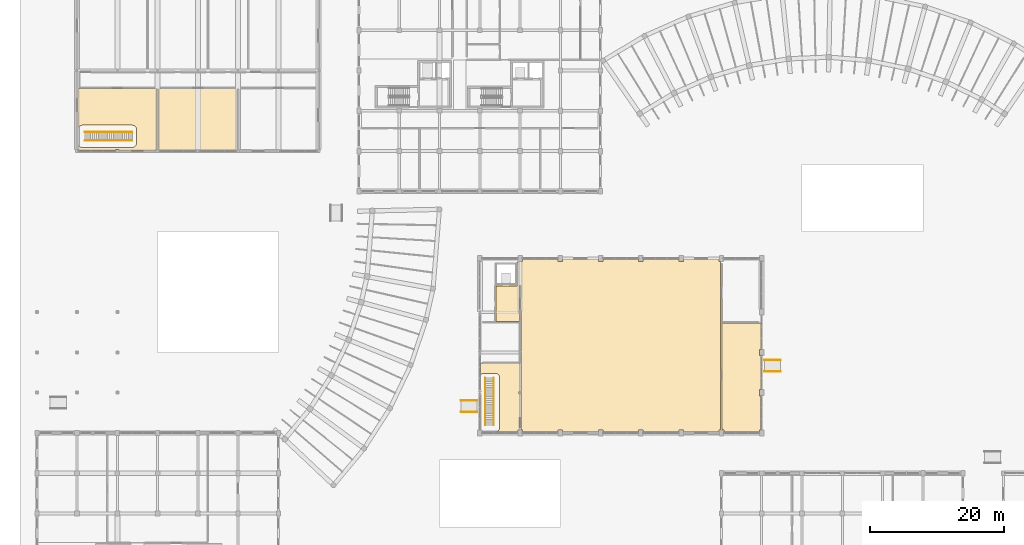
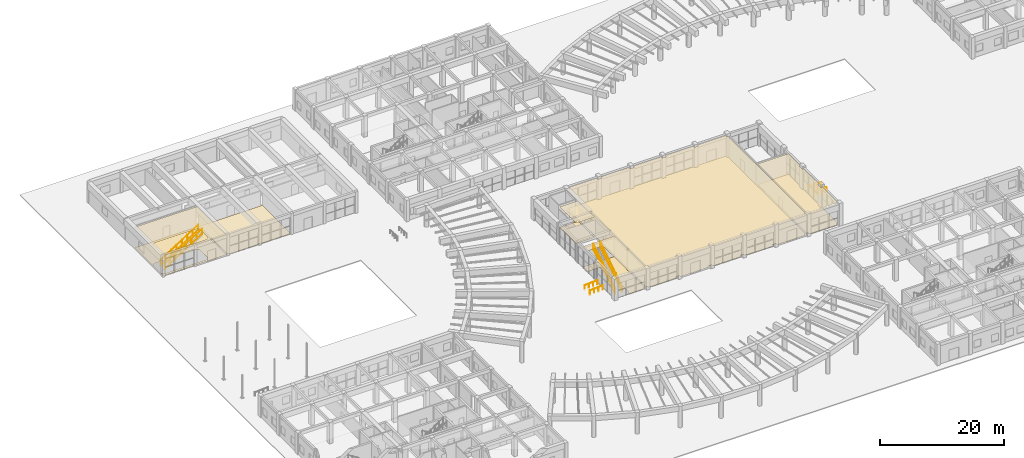
# One storey, part 70 of 76: 11 coverings, 8 railings.
"""IFC4 building model written with IfcOpenShell, lengths in metres."""

from ifc_helpers import new_model, si_unit, direction, frame, origin, origin_2d, place, context, subcontext, project, spatial, polyline, circle, outline, extrude, material, layer, layer_set, type_object, element, save


model = new_model("IFC4")

# Units and contexts
model_context = context("Model", 3, precision=1e-05, world=origin(), true_north=direction((0.0, 1.0)))
body_context = subcontext(model_context, "Body", "Model", "MODEL_VIEW")
ifc_project = project(units=[si_unit("LENGTHUNIT", "METRE"), si_unit("AREAUNIT", "SQUARE_METRE"), si_unit("VOLUMEUNIT", "CUBIC_METRE"), si_unit("PLANEANGLEUNIT", "RADIAN"), si_unit("MASSUNIT", "GRAM", prefix="KILO"), si_unit("POWERUNIT", "WATT"), si_unit("THERMODYNAMICTEMPERATUREUNIT", "KELVIN")], contexts=[model_context])

# Site, building, storey
site_placement = place(None, origin())
site = spatial("IfcSite", under=ifc_project, at=site_placement, CompositionType="ELEMENT")
building_placement = place(site_placement, origin())
building = spatial("IfcBuilding", under=site, at=building_placement, Name="Ruvembo Vaulted Housing Court", CompositionType="ELEMENT")
storey_placement = place(building_placement, origin())
storey = spatial("IfcBuildingStorey", under=building, at=storey_placement, Name="L00", CompositionType="ELEMENT", Elevation=0.0)

# Coverings
ifc_material_1 = material(Name="Perforated Mineral-Fibre Acoustic Tile", Category="gypsum")
ifc_layer_1 = layer(ifc_material_1, 0.02001953125, Name="Perforated Mineral-Fibre Acoustic Tile")
ifc_layer_set_1 = layer_set([ifc_layer_1], Name="Perforated Mineral-Fibre Acoustic Tile")
covering_type_1 = type_object("IfcCoveringType", Name="COV-CEIL-ACOUST", PredefinedType="CEILING", material=ifc_layer_set_1)
covering_1_placement = place(storey_placement, frame((0.0, 0.0, 4.050048828125)))
element("IfcCovering", 1, at=covering_1_placement, inside=storey, type_object=covering_type_1, Name="Central Vaulted Community Hall Nave Ceiling", PredefinedType="CEILING", context=body_context, shape_type="SweptSolid", body=[
    extrude(outline(polyline([(95.655029296875, 42.469970703125), (96.344970703125, 42.469970703125), (96.344970703125, 42.110107421875), (101.655029296875, 42.110107421875), (101.655029296875, 42.469970703125), (101.889892578125, 42.469970703125), (101.889892578125, 67.530029296875), (101.655029296875, 67.530029296875), (101.655029296875, 67.889892578125), (96.344970703125, 67.889892578125), (96.344970703125, 67.530029296875), (95.655029296875, 67.530029296875), (95.655029296875, 67.889892578125), (90.344970703125, 67.889892578125), (90.344970703125, 67.530029296875), (89.655029296875, 67.530029296875), (89.655029296875, 67.889892578125), (84.344970703125, 67.889892578125), (84.344970703125, 67.530029296875), (83.655029296875, 67.530029296875), (83.655029296875, 67.889892578125), (78.344970703125, 67.889892578125), (78.344970703125, 67.530029296875), (77.655029296875, 67.530029296875), (77.655029296875, 67.889892578125), (72.344970703125, 67.889892578125), (72.344970703125, 67.530029296875), (72.110107421875, 67.530029296875), (72.110107421875, 60.169921875), (72.169921875, 60.169921875), (72.169921875, 59.830078125), (72.110107421875, 59.830078125), (72.110107421875, 54.169921875), (72.169921875, 54.169921875), (72.169921875, 53.830078125), (72.110107421875, 53.830078125), (72.110107421875, 48.169921875), (72.169921875, 48.169921875), (72.169921875, 47.830078125), (72.110107421875, 47.830078125), (72.110107421875, 42.469970703125), (72.344970703125, 42.469970703125), (72.344970703125, 42.110107421875), (77.655029296875, 42.110107421875), (77.655029296875, 42.469970703125), (78.344970703125, 42.469970703125), (78.344970703125, 42.110107421875), (83.655029296875, 42.110107421875), (83.655029296875, 42.469970703125), (84.344970703125, 42.469970703125), (84.344970703125, 42.110107421875), (89.655029296875, 42.110107421875), (89.655029296875, 42.469970703125), (90.344970703125, 42.469970703125), (90.344970703125, 42.110107421875), (95.655029296875, 42.110107421875), (95.655029296875, 42.469970703125)])), origin(), (0.0, 0.0, 1.0), 0.02001953125),
])
covering_2_placement = place(storey_placement, frame((0.0, 0.0, 4.034912109375)))
element("IfcCovering", 2, at=covering_2_placement, inside=storey, type_object=covering_type_1, Name="Community Hall Foyer Ceiling", PredefinedType="CEILING", context=body_context, shape_type="SweptSolid", body=[
    extrude(outline(polyline([(71.889892578125, 52.389892578125), (66.110107421875, 52.389892578125), (66.110107421875, 50.64599609375), (66.140380859375, 50.6796875), (66.1875, 50.722412109375), (66.239013671875, 50.760498046875), (66.293701171875, 50.793212890625), (66.351318359375, 50.820556640625), (66.411376953125, 50.842041015625), (66.47314453125, 50.857421875), (66.536376953125, 50.866943359375), (66.60009765625, 50.8701171875), (68.300048828125, 50.8701171875), (68.36376953125, 50.866943359375), (68.4267578125, 50.857421875), (68.48876953125, 50.842041015625), (68.548583984375, 50.820556640625), (68.6064453125, 50.793212890625), (68.6611328125, 50.760498046875), (68.71240234375, 50.722412109375), (68.759521484375, 50.6796875), (68.802490234375, 50.63232421875), (68.840576171875, 50.5810546875), (68.873291015625, 50.5263671875), (68.900390625, 50.46875), (68.922119140625, 50.40869140625), (68.9375, 50.3466796875), (68.947021484375, 50.28369140625), (68.949951171875, 50.219970703125), (68.949951171875, 42.800048828125), (68.947021484375, 42.736328125), (68.9375, 42.673095703125), (68.922119140625, 42.611328125), (68.900390625, 42.55126953125), (68.873291015625, 42.49365234375), (68.840576171875, 42.43896484375), (68.802490234375, 42.3876953125), (68.759521484375, 42.34033203125), (68.71240234375, 42.297607421875), (68.6611328125, 42.259521484375), (68.6064453125, 42.226806640625), (68.548583984375, 42.199462890625), (68.48876953125, 42.177978515625), (68.4267578125, 42.16259765625), (68.36376953125, 42.153076171875), (68.300048828125, 42.14990234375), (66.60009765625, 42.14990234375), (66.536376953125, 42.153076171875), (66.47314453125, 42.16259765625), (66.411376953125, 42.177978515625), (66.351318359375, 42.199462890625), (66.344970703125, 42.202392578125), (66.344970703125, 42.110107421875), (71.655029296875, 42.110107421875), (71.655029296875, 42.469970703125), (71.889892578125, 42.469970703125), (71.889892578125, 47.830078125), (71.830078125, 47.830078125), (71.830078125, 48.169921875), (71.889892578125, 48.169921875), (71.889892578125, 52.389892578125)])), origin(), (0.0, 0.0, 1.0), 0.02001953125),
])
covering_3_placement = place(storey_placement, frame((0.0, 0.0, 4.034912109375)))
element("IfcCovering", 3, at=covering_3_placement, inside=storey, type_object=covering_type_1, Name="Hall Lift Lobby Ceiling", PredefinedType="CEILING", context=body_context, shape_type="SweptSolid", body=[
    extrude(outline(polyline([(71.423095703125, 63.910888671875), (71.405517578125, 63.91015625), (71.39990234375, 63.909912109375), (68.409912109375, 63.909912109375), (68.409912109375, 58.610107421875), (71.889892578125, 58.610107421875), (71.889892578125, 59.830078125), (71.830078125, 59.830078125), (71.830078125, 60.169921875), (71.889892578125, 60.169921875), (71.889892578125, 67.489990234375), (71.39990234375, 67.489990234375), (71.405517578125, 67.489990234375), (71.423095703125, 67.489013671875), (71.433837890625, 67.48779296875), (71.451416015625, 67.4853515625), (71.4619140625, 67.483154296875), (71.47900390625, 67.47900390625), (71.4892578125, 67.475830078125), (71.505859375, 67.469970703125), (71.515869140625, 67.4658203125), (71.531982421875, 67.458251953125), (71.54150390625, 67.453125), (71.556640625, 67.444091796875), (71.5654296875, 67.43798828125), (71.57958984375, 67.427490234375), (71.588134765625, 67.420654296875), (71.601318359375, 67.40869140625), (71.60888671875, 67.401123046875), (71.62060546875, 67.38818359375), (71.62744140625, 67.379638671875), (71.637939453125, 67.365478515625), (71.64404296875, 67.356689453125), (71.653076171875, 67.34130859375), (71.658203125, 67.331787109375), (71.665771484375, 67.31591796875), (71.669921875, 67.305908203125), (71.67578125, 67.289306640625), (71.678955078125, 67.279052734375), (71.68310546875, 67.26171875), (71.685302734375, 67.251220703125), (71.68798828125, 67.23388671875), (71.68896484375, 67.222900390625), (71.68994140625, 67.205322265625), (71.68994140625, 67.199951171875), (71.68994140625, 64.199951171875), (71.68994140625, 64.194580078125), (71.68896484375, 64.177001953125), (71.68798828125, 64.166259765625), (71.685302734375, 64.148681640625), (71.68310546875, 64.13818359375), (71.678955078125, 64.12109375), (71.67578125, 64.110595703125), (71.669921875, 64.093994140625), (71.665771484375, 64.083984375), (71.658203125, 64.068115234375), (71.653076171875, 64.05859375), (71.64404296875, 64.04345703125), (71.637939453125, 64.034423828125), (71.62744140625, 64.020263671875), (71.62060546875, 64.011962890625), (71.60888671875, 63.998779296875), (71.601318359375, 63.9912109375), (71.588134765625, 63.9794921875), (71.57958984375, 63.972412109375), (71.5654296875, 63.9619140625), (71.556640625, 63.9560546875), (71.54150390625, 63.947021484375), (71.531982421875, 63.94189453125), (71.515869140625, 63.934326171875), (71.505859375, 63.93017578125), (71.4892578125, 63.92431640625), (71.47900390625, 63.9208984375), (71.4619140625, 63.916748046875), (71.451416015625, 63.91455078125), (71.433837890625, 63.912109375), (71.423095703125, 63.910888671875)])), origin(), (0.0, 0.0, 1.0), 0.02001953125),
])
covering_4_placement = place(storey_placement, frame((0.0, 0.0, 4.050048828125)))
element("IfcCovering", 4, at=covering_4_placement, inside=storey, type_object=covering_type_1, Name="Community Stage & Forum Ceiling", PredefinedType="CEILING", context=body_context, shape_type="SweptSolid", body=[
    extrude(outline(polyline([(102.110107421875, 42.469970703125), (102.344970703125, 42.469970703125), (102.344970703125, 42.110107421875), (107.655029296875, 42.110107421875), (107.655029296875, 42.469970703125), (107.889892578125, 42.469970703125), (107.889892578125, 47.530029296875), (107.655029296875, 47.530029296875), (107.655029296875, 48.469970703125), (107.889892578125, 48.469970703125), (107.889892578125, 53.530029296875), (107.655029296875, 53.530029296875), (107.655029296875, 54.469970703125), (107.889892578125, 54.469970703125), (107.889892578125, 58.389892578125), (102.110107421875, 58.389892578125), (102.110107421875, 42.469970703125)])), origin(), (0.0, 0.0, 1.0), 0.02001953125),
])
covering_5_placement = place(storey_placement, frame((0.0, 0.0, 4.034912109375)))
element("IfcCovering", 5, at=covering_5_placement, inside=storey, type_object=covering_type_1, Name="Nursery Reception & Stroller Lobby Ceiling", PredefinedType="CEILING", context=body_context, shape_type="SweptSolid", body=[
    extrude(outline(polyline([(17.889892578125, 84.2451171875), (17.889892578125, 93.2900390625), (6.110107421875, 93.2900390625), (6.110107421875, 84.2451171875), (6.2451171875, 84.2451171875), (6.2451171875, 84.110107421875), (11.7548828125, 84.110107421875), (11.7548828125, 84.2451171875), (12.2451171875, 84.2451171875), (12.2451171875, 84.110107421875), (17.7548828125, 84.110107421875), (17.7548828125, 84.2451171875), (17.889892578125, 84.2451171875)]), holes=[polyline([(14.3466796875, 84.5625), (14.40869140625, 84.577880859375), (14.46875, 84.599609375), (14.5263671875, 84.626708984375), (14.5810546875, 84.659423828125), (14.63232421875, 84.697509765625), (14.6796875, 84.740478515625), (14.722412109375, 84.78759765625), (14.760498046875, 84.8388671875), (14.793212890625, 84.8935546875), (14.820556640625, 84.951416015625), (14.842041015625, 85.01123046875), (14.857421875, 85.0732421875), (14.866943359375, 85.13623046875), (14.8701171875, 85.199951171875), (14.8701171875, 87.199951171875), (14.866943359375, 87.263671875), (14.857421875, 87.326904296875), (14.842041015625, 87.388671875), (14.820556640625, 87.44873046875), (14.793212890625, 87.50634765625), (14.760498046875, 87.56103515625), (14.722412109375, 87.6123046875), (14.6796875, 87.65966796875), (14.63232421875, 87.702392578125), (14.5810546875, 87.740478515625), (14.5263671875, 87.773193359375), (14.46875, 87.800537109375), (14.40869140625, 87.822021484375), (14.3466796875, 87.83740234375), (14.28369140625, 87.846923828125), (14.219970703125, 87.85009765625), (6.800048828125, 87.85009765625), (6.736328125, 87.846923828125), (6.673095703125, 87.83740234375), (6.611328125, 87.822021484375), (6.55126953125, 87.800537109375), (6.49365234375, 87.773193359375), (6.43896484375, 87.740478515625), (6.3876953125, 87.702392578125), (6.34033203125, 87.65966796875), (6.297607421875, 87.6123046875), (6.259521484375, 87.56103515625), (6.226806640625, 87.50634765625), (6.199462890625, 87.44873046875), (6.177978515625, 87.388671875), (6.16259765625, 87.326904296875), (6.153076171875, 87.263671875), (6.14990234375, 87.199951171875), (6.14990234375, 85.199951171875), (6.153076171875, 85.13623046875), (6.16259765625, 85.0732421875), (6.177978515625, 85.01123046875), (6.199462890625, 84.951416015625), (6.226806640625, 84.8935546875), (6.259521484375, 84.8388671875), (6.297607421875, 84.78759765625), (6.34033203125, 84.740478515625), (6.3876953125, 84.697509765625), (6.43896484375, 84.659423828125), (6.49365234375, 84.626708984375), (6.55126953125, 84.599609375), (6.611328125, 84.577880859375), (6.673095703125, 84.5625), (6.736328125, 84.552978515625), (6.800048828125, 84.550048828125), (14.219970703125, 84.550048828125), (14.28369140625, 84.552978515625), (14.3466796875, 84.5625)])]), origin(), (0.0, 0.0, 1.0), 0.02001953125),
])
ifc_material_2 = material(Name="Polished Cement-Aggregate Terrazzo", Category="stone")
ifc_layer_2 = layer(ifc_material_2, 0.02197265625, Name="Polished Cement-Aggregate Terrazzo")
ifc_layer_set_2 = layer_set([ifc_layer_2], Name="Polished Cement-Aggregate Terrazzo")
covering_type_2 = type_object("IfcCoveringType", Name="COV-FLR-CERAMIC", PredefinedType="FLOORING", material=ifc_layer_set_2)
covering_6_placement = place(storey_placement, origin())
element("IfcCovering", 6, at=covering_6_placement, inside=storey, type_object=covering_type_2, Name="Central Vaulted Community Hall Nave Flooring", PredefinedType="FLOORING", context=body_context, shape_type="SweptSolid", body=[
    extrude(outline(polyline([(95.655029296875, 42.469970703125), (96.344970703125, 42.469970703125), (96.344970703125, 42.110107421875), (101.655029296875, 42.110107421875), (101.655029296875, 42.469970703125), (101.889892578125, 42.469970703125), (101.889892578125, 67.530029296875), (101.655029296875, 67.530029296875), (101.655029296875, 67.889892578125), (96.344970703125, 67.889892578125), (96.344970703125, 67.530029296875), (95.655029296875, 67.530029296875), (95.655029296875, 67.889892578125), (90.344970703125, 67.889892578125), (90.344970703125, 67.530029296875), (89.655029296875, 67.530029296875), (89.655029296875, 67.889892578125), (84.344970703125, 67.889892578125), (84.344970703125, 67.530029296875), (83.655029296875, 67.530029296875), (83.655029296875, 67.889892578125), (78.344970703125, 67.889892578125), (78.344970703125, 67.530029296875), (77.655029296875, 67.530029296875), (77.655029296875, 67.889892578125), (72.344970703125, 67.889892578125), (72.344970703125, 67.530029296875), (72.110107421875, 67.530029296875), (72.110107421875, 60.169921875), (72.169921875, 60.169921875), (72.169921875, 59.830078125), (72.110107421875, 59.830078125), (72.110107421875, 54.169921875), (72.169921875, 54.169921875), (72.169921875, 53.830078125), (72.110107421875, 53.830078125), (72.110107421875, 48.169921875), (72.169921875, 48.169921875), (72.169921875, 47.830078125), (72.110107421875, 47.830078125), (72.110107421875, 42.469970703125), (72.344970703125, 42.469970703125), (72.344970703125, 42.110107421875), (77.655029296875, 42.110107421875), (77.655029296875, 42.469970703125), (78.344970703125, 42.469970703125), (78.344970703125, 42.110107421875), (83.655029296875, 42.110107421875), (83.655029296875, 42.469970703125), (84.344970703125, 42.469970703125), (84.344970703125, 42.110107421875), (89.655029296875, 42.110107421875), (89.655029296875, 42.469970703125), (90.344970703125, 42.469970703125), (90.344970703125, 42.110107421875), (95.655029296875, 42.110107421875), (95.655029296875, 42.469970703125)])), origin(), (0.0, 0.0, 1.0), 0.02197265625),
])
covering_7_placement = place(storey_placement, origin())
element("IfcCovering", 7, at=covering_7_placement, inside=storey, type_object=covering_type_2, Name="Community Hall Foyer Flooring", PredefinedType="FLOORING", context=body_context, shape_type="SweptSolid", body=[
    extrude(outline(polyline([(71.889892578125, 52.389892578125), (66.110107421875, 52.389892578125), (66.110107421875, 50.64599609375), (66.140380859375, 50.6796875), (66.1875, 50.722412109375), (66.239013671875, 50.760498046875), (66.293701171875, 50.793212890625), (66.351318359375, 50.820556640625), (66.411376953125, 50.842041015625), (66.47314453125, 50.857421875), (66.536376953125, 50.866943359375), (66.60009765625, 50.8701171875), (68.300048828125, 50.8701171875), (68.36376953125, 50.866943359375), (68.4267578125, 50.857421875), (68.48876953125, 50.842041015625), (68.548583984375, 50.820556640625), (68.6064453125, 50.793212890625), (68.6611328125, 50.760498046875), (68.71240234375, 50.722412109375), (68.759521484375, 50.6796875), (68.802490234375, 50.63232421875), (68.840576171875, 50.5810546875), (68.873291015625, 50.5263671875), (68.900390625, 50.46875), (68.922119140625, 50.40869140625), (68.9375, 50.3466796875), (68.947021484375, 50.28369140625), (68.949951171875, 50.219970703125), (68.949951171875, 42.800048828125), (68.947021484375, 42.736328125), (68.9375, 42.673095703125), (68.922119140625, 42.611328125), (68.900390625, 42.55126953125), (68.873291015625, 42.49365234375), (68.840576171875, 42.43896484375), (68.802490234375, 42.3876953125), (68.759521484375, 42.34033203125), (68.71240234375, 42.297607421875), (68.6611328125, 42.259521484375), (68.6064453125, 42.226806640625), (68.548583984375, 42.199462890625), (68.48876953125, 42.177978515625), (68.4267578125, 42.16259765625), (68.36376953125, 42.153076171875), (68.300048828125, 42.14990234375), (66.60009765625, 42.14990234375), (66.536376953125, 42.153076171875), (66.47314453125, 42.16259765625), (66.411376953125, 42.177978515625), (66.351318359375, 42.199462890625), (66.344970703125, 42.202392578125), (66.344970703125, 42.110107421875), (71.655029296875, 42.110107421875), (71.655029296875, 42.469970703125), (71.889892578125, 42.469970703125), (71.889892578125, 47.830078125), (71.830078125, 47.830078125), (71.830078125, 48.169921875), (71.889892578125, 48.169921875), (71.889892578125, 52.389892578125)])), origin(), (0.0, 0.0, 1.0), 0.02197265625),
])
covering_8_placement = place(storey_placement, origin())
element("IfcCovering", 8, at=covering_8_placement, inside=storey, type_object=covering_type_2, Name="Hall Lift Lobby Flooring", PredefinedType="FLOORING", context=body_context, shape_type="SweptSolid", body=[
    extrude(outline(polyline([(71.423095703125, 63.910888671875), (71.405517578125, 63.91015625), (71.39990234375, 63.909912109375), (68.409912109375, 63.909912109375), (68.409912109375, 58.610107421875), (71.889892578125, 58.610107421875), (71.889892578125, 59.830078125), (71.830078125, 59.830078125), (71.830078125, 60.169921875), (71.889892578125, 60.169921875), (71.889892578125, 67.489990234375), (71.39990234375, 67.489990234375), (71.405517578125, 67.489990234375), (71.423095703125, 67.489013671875), (71.433837890625, 67.48779296875), (71.451416015625, 67.4853515625), (71.4619140625, 67.483154296875), (71.47900390625, 67.47900390625), (71.4892578125, 67.475830078125), (71.505859375, 67.469970703125), (71.515869140625, 67.4658203125), (71.531982421875, 67.458251953125), (71.54150390625, 67.453125), (71.556640625, 67.444091796875), (71.5654296875, 67.43798828125), (71.57958984375, 67.427490234375), (71.588134765625, 67.420654296875), (71.601318359375, 67.40869140625), (71.60888671875, 67.401123046875), (71.62060546875, 67.38818359375), (71.62744140625, 67.379638671875), (71.637939453125, 67.365478515625), (71.64404296875, 67.356689453125), (71.653076171875, 67.34130859375), (71.658203125, 67.331787109375), (71.665771484375, 67.31591796875), (71.669921875, 67.305908203125), (71.67578125, 67.289306640625), (71.678955078125, 67.279052734375), (71.68310546875, 67.26171875), (71.685302734375, 67.251220703125), (71.68798828125, 67.23388671875), (71.68896484375, 67.222900390625), (71.68994140625, 67.205322265625), (71.68994140625, 67.199951171875), (71.68994140625, 64.199951171875), (71.68994140625, 64.194580078125), (71.68896484375, 64.177001953125), (71.68798828125, 64.166259765625), (71.685302734375, 64.148681640625), (71.68310546875, 64.13818359375), (71.678955078125, 64.12109375), (71.67578125, 64.110595703125), (71.669921875, 64.093994140625), (71.665771484375, 64.083984375), (71.658203125, 64.068115234375), (71.653076171875, 64.05859375), (71.64404296875, 64.04345703125), (71.637939453125, 64.034423828125), (71.62744140625, 64.020263671875), (71.62060546875, 64.011962890625), (71.60888671875, 63.998779296875), (71.601318359375, 63.9912109375), (71.588134765625, 63.9794921875), (71.57958984375, 63.972412109375), (71.5654296875, 63.9619140625), (71.556640625, 63.9560546875), (71.54150390625, 63.947021484375), (71.531982421875, 63.94189453125), (71.515869140625, 63.934326171875), (71.505859375, 63.93017578125), (71.4892578125, 63.92431640625), (71.47900390625, 63.9208984375), (71.4619140625, 63.916748046875), (71.451416015625, 63.91455078125), (71.433837890625, 63.912109375), (71.423095703125, 63.910888671875)])), origin(), (0.0, 0.0, 1.0), 0.02197265625),
])
covering_9_placement = place(storey_placement, origin())
element("IfcCovering", 9, at=covering_9_placement, inside=storey, type_object=covering_type_2, Name="Community Stage & Forum Flooring", PredefinedType="FLOORING", context=body_context, shape_type="SweptSolid", body=[
    extrude(outline(polyline([(102.110107421875, 42.469970703125), (102.344970703125, 42.469970703125), (102.344970703125, 42.110107421875), (107.655029296875, 42.110107421875), (107.655029296875, 42.469970703125), (107.889892578125, 42.469970703125), (107.889892578125, 47.530029296875), (107.655029296875, 47.530029296875), (107.655029296875, 48.469970703125), (107.889892578125, 48.469970703125), (107.889892578125, 53.530029296875), (107.655029296875, 53.530029296875), (107.655029296875, 54.469970703125), (107.889892578125, 54.469970703125), (107.889892578125, 58.389892578125), (102.110107421875, 58.389892578125), (102.110107421875, 42.469970703125)])), origin(), (0.0, 0.0, 1.0), 0.02197265625),
])
covering_10_placement = place(storey_placement, origin())
element("IfcCovering", 10, at=covering_10_placement, inside=storey, type_object=covering_type_2, Name="Nursery Reception & Stroller Lobby Flooring", PredefinedType="FLOORING", context=body_context, shape_type="SweptSolid", body=[
    extrude(outline(polyline([(17.889892578125, 84.2451171875), (17.889892578125, 93.2900390625), (6.110107421875, 93.2900390625), (6.110107421875, 84.2451171875), (6.2451171875, 84.2451171875), (6.2451171875, 84.110107421875), (11.7548828125, 84.110107421875), (11.7548828125, 84.2451171875), (12.2451171875, 84.2451171875), (12.2451171875, 84.110107421875), (17.7548828125, 84.110107421875), (17.7548828125, 84.2451171875), (17.889892578125, 84.2451171875)]), holes=[polyline([(14.3466796875, 84.5625), (14.40869140625, 84.577880859375), (14.46875, 84.599609375), (14.5263671875, 84.626708984375), (14.5810546875, 84.659423828125), (14.63232421875, 84.697509765625), (14.6796875, 84.740478515625), (14.722412109375, 84.78759765625), (14.760498046875, 84.8388671875), (14.793212890625, 84.8935546875), (14.820556640625, 84.951416015625), (14.842041015625, 85.01123046875), (14.857421875, 85.0732421875), (14.866943359375, 85.13623046875), (14.8701171875, 85.199951171875), (14.8701171875, 87.199951171875), (14.866943359375, 87.263671875), (14.857421875, 87.326904296875), (14.842041015625, 87.388671875), (14.820556640625, 87.44873046875), (14.793212890625, 87.50634765625), (14.760498046875, 87.56103515625), (14.722412109375, 87.6123046875), (14.6796875, 87.65966796875), (14.63232421875, 87.702392578125), (14.5810546875, 87.740478515625), (14.5263671875, 87.773193359375), (14.46875, 87.800537109375), (14.40869140625, 87.822021484375), (14.3466796875, 87.83740234375), (14.28369140625, 87.846923828125), (14.219970703125, 87.85009765625), (6.800048828125, 87.85009765625), (6.736328125, 87.846923828125), (6.673095703125, 87.83740234375), (6.611328125, 87.822021484375), (6.55126953125, 87.800537109375), (6.49365234375, 87.773193359375), (6.43896484375, 87.740478515625), (6.3876953125, 87.702392578125), (6.34033203125, 87.65966796875), (6.297607421875, 87.6123046875), (6.259521484375, 87.56103515625), (6.226806640625, 87.50634765625), (6.199462890625, 87.44873046875), (6.177978515625, 87.388671875), (6.16259765625, 87.326904296875), (6.153076171875, 87.263671875), (6.14990234375, 87.199951171875), (6.14990234375, 85.199951171875), (6.153076171875, 85.13623046875), (6.16259765625, 85.0732421875), (6.177978515625, 85.01123046875), (6.199462890625, 84.951416015625), (6.226806640625, 84.8935546875), (6.259521484375, 84.8388671875), (6.297607421875, 84.78759765625), (6.34033203125, 84.740478515625), (6.3876953125, 84.697509765625), (6.43896484375, 84.659423828125), (6.49365234375, 84.626708984375), (6.55126953125, 84.599609375), (6.611328125, 84.577880859375), (6.673095703125, 84.5625), (6.736328125, 84.552978515625), (6.800048828125, 84.550048828125), (14.219970703125, 84.550048828125), (14.28369140625, 84.552978515625), (14.3466796875, 84.5625)])]), origin(), (0.0, 0.0, 1.0), 0.02197265625),
])
covering_11_placement = place(storey_placement, origin())
element("IfcCovering", 11, at=covering_11_placement, inside=storey, type_object=covering_type_2, Name="Toddler Playroom 1 Flooring", PredefinedType="FLOORING", context=body_context, shape_type="SweptSolid", body=[
    extrude(outline(polyline([(29.889892578125, 84.2451171875), (29.889892578125, 93.2900390625), (18.110107421875, 93.2900390625), (18.110107421875, 84.2451171875), (18.2451171875, 84.2451171875), (18.2451171875, 84.110107421875), (23.7548828125, 84.110107421875), (23.7548828125, 84.2451171875), (24.2451171875, 84.2451171875), (24.2451171875, 84.110107421875), (29.7548828125, 84.110107421875), (29.7548828125, 84.2451171875), (29.889892578125, 84.2451171875)])), origin(), (0.0, 0.0, 1.0), 0.02197265625),
])

# Railings
ifc_material_3 = material(Name="Brushed Stainless Steel 316", Category="steel")
ifc_layer_3 = layer(ifc_material_3, 0.050048828125, Name="Brushed Stainless Steel 316")
ifc_layer_set_3 = layer_set([ifc_layer_3], Name="Brushed Stainless Steel 316")
railing_type_1 = type_object("IfcRailingType", Name="RL-RAMP-HR920", PredefinedType="HANDRAIL", material=ifc_layer_set_3)
for number, where, name in (
    (12, (63.199951171875, 46.85009765625, -0.14990234375), "Ramp RMP-03 Handrail L"),
    (13, (63.199951171875, 45.14990234375, -0.14990234375), "Ramp RMP-03 Handrail R"),
):
    element("IfcRailing", number, at=place(storey_placement, frame(where)), inside=storey, type_object=railing_type_1, Name=name, PredefinedType="HANDRAIL", context=body_context, shape_type="SweptSolid", body=[
        extrude(circle(Radius=0.02392578125, at=origin_2d()), frame((0.0, 0.0, 0.89599609375), z_axis=(0.998055342672, 0.0, 0.062334043373), x_axis=(0.0, 1.0, 0.0)), (0.0, 0.0, 1.0), 2.40478515625),
        extrude(circle(Radius=0.02099609375, at=origin_2d()), origin(), (0.0, 0.0, 1.0), 0.871826171875),
        extrude(circle(Radius=0.02099609375, at=origin_2d()), frame((0.800048828125, 0.0, 0.050048828125)), (0.0, 0.0, 1.0), 0.871826171875),
        extrude(circle(Radius=0.02099609375, at=origin_2d()), frame((1.60009765625, 0.0, 0.099853515625)), (0.0, 0.0, 1.0), 0.871826171875),
        extrude(circle(Radius=0.02099609375, at=origin_2d()), frame((2.400146484375, 0.0, 0.14990234375)), (0.0, 0.0, 1.0), 0.871826171875),
    ])
for number, where, name in (
    (14, (110.800048828125, 51.14990234375, -0.14990234375), "Ramp RMP-06 Handrail L"),
    (15, (110.800048828125, 52.85009765625, -0.14990234375), "Ramp RMP-06 Handrail R"),
):
    element("IfcRailing", number, at=place(storey_placement, frame(where)), inside=storey, type_object=railing_type_1, Name=name, PredefinedType="HANDRAIL", context=body_context, shape_type="SweptSolid", body=[
        extrude(circle(Radius=0.02392578125, at=origin_2d()), frame((0.0, 0.0, 0.89599609375), z_axis=(-0.998055342672, 0.0, 0.062334043373), x_axis=(0.0, -1.0, 0.0)), (0.0, 0.0, 1.0), 2.40478515625),
        extrude(circle(Radius=0.02099609375, at=origin_2d()), origin(), (0.0, 0.0, 1.0), 0.871826171875),
        extrude(circle(Radius=0.02099609375, at=origin_2d()), frame((-0.800048828125, 0.0, 0.050048828125)), (0.0, 0.0, 1.0), 0.871826171875),
        extrude(circle(Radius=0.02099609375, at=origin_2d()), frame((-1.60009765625, 0.0, 0.099853515625)), (0.0, 0.0, 1.0), 0.871826171875),
        extrude(circle(Radius=0.02099609375, at=origin_2d()), frame((-2.400146484375, 0.0, 0.14990234375)), (0.0, 0.0, 1.0), 0.871826171875),
    ])
ifc_material_4 = material(Name="Painted Galvanised Steel S275", Category="steel")
ifc_layer_4 = layer(ifc_material_4, 0.06005859375, Name="Painted Galvanised Steel S275")
ifc_layer_set_4 = layer_set([ifc_layer_4], Name="Painted Galvanised Steel S275")
railing_type_2 = type_object("IfcRailingType", Name="RL-STAIR-GR1100", PredefinedType="GUARDRAIL", material=ifc_layer_set_4)
for number, where, name in (
    (16, (66.81005859375, 43.199951171875, 0.0), "Community Hall Mezzanine Stair Pitch Guard and Handrail L"),
    (17, (68.090087890625, 43.199951171875, 0.0), "Community Hall Mezzanine Stair Pitch Guard and Handrail R"),
):
    element("IfcRailing", number, at=place(storey_placement, frame(where)), inside=storey, type_object=railing_type_2, Name=name, PredefinedType="GUARDRAIL", context=body_context, shape_type="SweptSolid", body=[
        extrude(circle(Radius=0.02392578125, at=origin_2d()), frame((0.0, 0.0, 1.09619140625), z_axis=(0.0, 0.841178475377, 0.540757591313), x_axis=(-1.0, 0.0, 0.0)), (0.0, 0.0, 1.0), 8.32177734375),
        extrude(circle(Radius=0.01806640625, at=origin_2d()), frame((0.0, 0.0, 0.1201171875), z_axis=(0.0, 0.841178475377, 0.540757591313), x_axis=(-1.0, 0.0, 0.0)), (0.0, 0.0, 1.0), 8.32177734375),
        extrude(circle(Radius=0.02099609375, at=origin_2d()), origin(), (0.0, 0.0, 1.0), 1.072021484375),
        extrude(circle(Radius=0.02099609375, at=origin_2d()), frame((0.0, 1.0, 0.642822265625)), (0.0, 0.0, 1.0), 1.072021484375),
        extrude(circle(Radius=0.02099609375, at=origin_2d()), frame((0.0, 2.0, 1.28564453125)), (0.0, 0.0, 1.0), 1.072021484375),
        extrude(circle(Radius=0.02099609375, at=origin_2d()), frame((0.0, 3.0, 1.928466796875)), (0.0, 0.0, 1.0), 1.072021484375),
        extrude(circle(Radius=0.02099609375, at=origin_2d()), frame((0.0, 4.0, 2.571533203125)), (0.0, 0.0, 1.0), 1.072021484375),
        extrude(circle(Radius=0.02099609375, at=origin_2d()), frame((0.0, 5.0, 3.21435546875)), (0.0, 0.0, 1.0), 1.072021484375),
        extrude(circle(Radius=0.02099609375, at=origin_2d()), frame((0.0, 6.0, 3.857177734375)), (0.0, 0.0, 1.0), 1.072021484375),
        extrude(circle(Radius=0.02099609375, at=origin_2d()), frame((0.0, 7.0, 4.5)), (0.0, 0.0, 1.0), 1.072021484375),
    ])
for number, where, name in (
    (18, (7.199951171875, 86.840087890625, 0.0), "ECD Nursery Mezzanine Stair Pitch Guard and Handrail L"),
    (19, (7.199951171875, 85.56005859375, 0.0), "ECD Nursery Mezzanine Stair Pitch Guard and Handrail R"),
):
    element("IfcRailing", number, at=place(storey_placement, frame(where)), inside=storey, type_object=railing_type_2, Name=name, PredefinedType="GUARDRAIL", context=body_context, shape_type="SweptSolid", body=[
        extrude(circle(Radius=0.02392578125, at=origin_2d()), frame((0.0, 0.0, 1.09619140625), z_axis=(0.841178475377, 0.0, 0.540757591313), x_axis=(0.0, 1.0, 0.0)), (0.0, 0.0, 1.0), 8.32177734375),
        extrude(circle(Radius=0.01806640625, at=origin_2d()), frame((0.0, 0.0, 0.1201171875), z_axis=(0.841178475377, 0.0, 0.540757591313), x_axis=(0.0, 1.0, 0.0)), (0.0, 0.0, 1.0), 8.32177734375),
        extrude(circle(Radius=0.02099609375, at=origin_2d()), origin(), (0.0, 0.0, 1.0), 1.072021484375),
        extrude(circle(Radius=0.02099609375, at=origin_2d()), frame((1.0, 0.0, 0.642822265625)), (0.0, 0.0, 1.0), 1.072021484375),
        extrude(circle(Radius=0.02099609375, at=origin_2d()), frame((2.0, 0.0, 1.28564453125)), (0.0, 0.0, 1.0), 1.072021484375),
        extrude(circle(Radius=0.02099609375, at=origin_2d()), frame((3.0, 0.0, 1.928466796875)), (0.0, 0.0, 1.0), 1.072021484375),
        extrude(circle(Radius=0.02099609375, at=origin_2d()), frame((4.0, 0.0, 2.571533203125)), (0.0, 0.0, 1.0), 1.072021484375),
        extrude(circle(Radius=0.02099609375, at=origin_2d()), frame((5.0, 0.0, 3.21435546875)), (0.0, 0.0, 1.0), 1.072021484375),
        extrude(circle(Radius=0.02099609375, at=origin_2d()), frame((6.0, 0.0, 3.857177734375)), (0.0, 0.0, 1.0), 1.072021484375),
        extrude(circle(Radius=0.02099609375, at=origin_2d()), frame((7.0, 0.0, 4.5)), (0.0, 0.0, 1.0), 1.072021484375),
    ])

save(model, "model.ifc")
